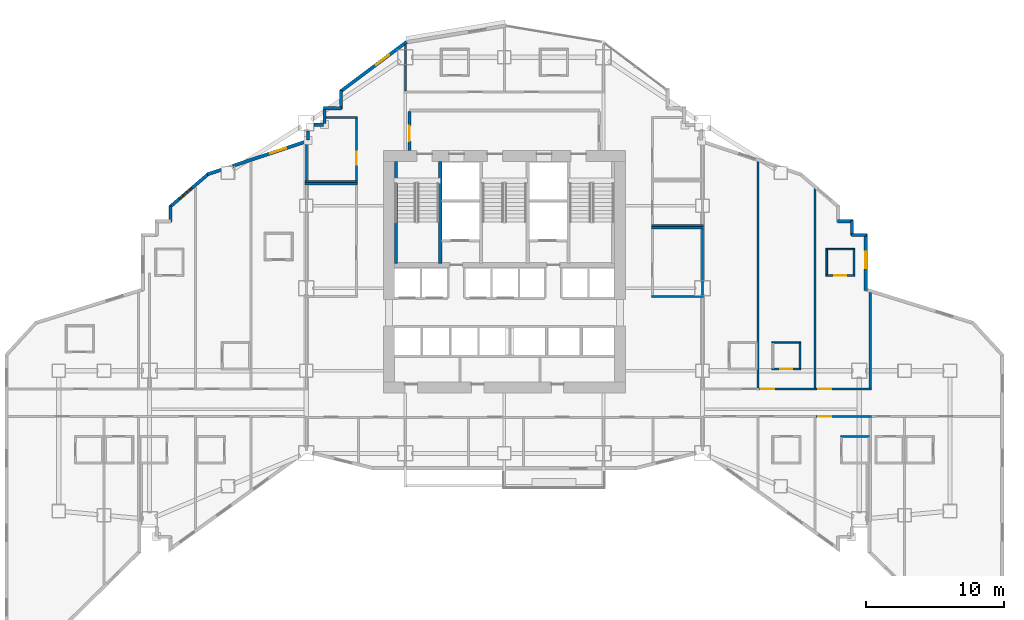
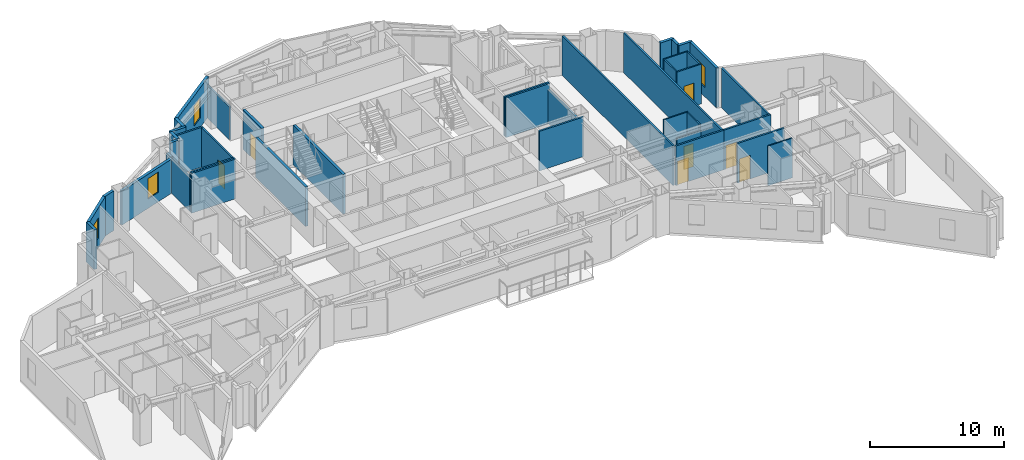
# One storey, part 9 of 16: 41 walls, 7 doors, 4 windows, 11 openings.
"""IFC4 building model written with IfcOpenShell, lengths in metres."""

from ifc_helpers import new_model, si_unit, direction, frame, frame_2d, origin, place, context, subcontext, project, spatial, rectangle, extrude, material, layer, layer_set, type_object, element, fill, save


model = new_model("IFC4")

# Units and contexts
model_context = context("Model", 3, precision=1e-05, world=origin(), true_north=direction((0.0, 1.0)))
body_context = subcontext(model_context, "Body", "Model", "MODEL_VIEW")
ifc_project = project(units=[si_unit("LENGTHUNIT", "METRE"), si_unit("AREAUNIT", "SQUARE_METRE"), si_unit("VOLUMEUNIT", "CUBIC_METRE"), si_unit("PLANEANGLEUNIT", "RADIAN"), si_unit("MASSUNIT", "GRAM", prefix="KILO")], contexts=[model_context])

# Site, building, storey
site_placement = place(None, origin())
site = spatial("IfcSite", under=ifc_project, at=site_placement, CompositionType="ELEMENT")
building_placement = place(site_placement, origin())
building = spatial("IfcBuilding", under=site, at=building_placement, Name="Haolan Belvedere Tower", CompositionType="ELEMENT")
storey_placement = place(building_placement, frame((0.0, 0.0, 47.60009765625)))
storey = spatial("IfcBuildingStorey", under=building, at=storey_placement, Name="L11", CompositionType="ELEMENT", Elevation=47.60009765625)

# Wall, opening, window
ifc_material_1 = material(Name="Precast concrete C40/50", Category="concrete")
ifc_layer_1 = layer(ifc_material_1, 0.239990234375, Name="Precast concrete C40/50")
ifc_layer_set_1 = layer_set([ifc_layer_1], Name="Precast concrete C40/50")
wall_type_1 = type_object("IfcWallType", Name="WL-EXT-240", PredefinedType="SOLIDWALL", material=ifc_layer_set_1)
wall_1_placement = place(storey_placement, frame((64.679931640625, 33.45654296875, 0.0), z_axis=(0.0, 0.0, 1.0), x_axis=(0.0, 1.0, 0.0)))
wall_1 = element("IfcWall", 1, at=wall_1_placement, inside=storey, type_object=wall_type_1, Name="L11 pale-metal exterior spandrel wall 29.1", PredefinedType="SOLIDWALL", context=body_context, shape_type="SweptSolid", body=[
    extrude(rectangle(XDim=4.078369140625, YDim=0.239990234375, at=frame_2d((2.0390625, 0.0))), origin(), (0.0, 0.0, 1.0), 3.599853515625),
])
opening_1_placement = place(wall_1_placement, frame((1.60009765625, 0.0, 0.85009765625)))
opening_1 = element("IfcOpeningElement", 2, at=opening_1_placement, cuts=wall_1, Name="Opening W-01", PredefinedType="OPENING", context=body_context, shape_type="SweptSolid", body=[
    extrude(rectangle(XDim=1.199951171875, YDim=1.85009765625, at=frame_2d((0.60009765625, 0.925048828125))), frame((0.0, 0.1298828125, 0.0), z_axis=(0.0, -1.0, 0.0), x_axis=(1.0, 0.0, 0.0)), (0.0, 0.0, 1.0), 0.260009765625),
])
ifc_material_2 = material(Name="Anodised aluminium 6063-T6 and Low-E glass", Category="aluminium")
window_type = type_object("IfcWindowType", Name="WN-DECO-Z1", PartitioningType="SINGLE_PANEL", PredefinedType="WINDOW", material=ifc_material_2)
window_1_placement = place(opening_1_placement, origin())
window_1 = element("IfcWindow", 3, at=window_1_placement, inside=storey, type_object=window_type, Name="L11 Art Deco chevron window 1", OverallHeight=1.85009765625, OverallWidth=1.199951171875, PartitioningType="SINGLE_PANEL", PredefinedType="WINDOW", context=body_context, shape_type="SweptSolid", body=[
    extrude(rectangle(XDim=1.199951171875, YDim=1.85009765625, at=frame_2d((0.60009765625, 0.925048828125))), frame((0.0, 0.030029296875, 0.0), z_axis=(0.0, -1.0, 0.0), x_axis=(1.0, 0.0, 0.0)), (0.0, 0.0, 1.0), 0.06005859375),
])
fill(opening_1, window_1)

# Walls
wall_2_placement = place(storey_placement, frame((64.735107421875, 37.47998046875, 0.0), z_axis=(0.0, 0.0, 1.0), x_axis=(-1.0, 0.0, 0.0)))
element("IfcWall", 4, at=wall_2_placement, inside=storey, type_object=wall_type_1, Name="L11 pale-metal exterior spandrel wall 30.1", PredefinedType="SOLIDWALL", context=body_context, shape_type="SweptSolid", body=[
    extrude(rectangle(XDim=1.110107421875, YDim=0.239990234375, at=frame_2d((0.55517578125, 0.0))), origin(), (0.0, 0.0, 1.0), 3.599853515625),
])
wall_3_placement = place(storey_placement, frame((63.679931640625, 37.425048828125, 0.0), z_axis=(0.0, 0.0, 1.0), x_axis=(0.0, 1.0, 0.0)))
element("IfcWall", 5, at=wall_3_placement, inside=storey, type_object=wall_type_1, Name="L11 pale-metal exterior spandrel wall 31.1", PredefinedType="SOLIDWALL", context=body_context, shape_type="SweptSolid", body=[
    extrude(rectangle(XDim=1.10986328125, YDim=0.239990234375, at=frame_2d((0.554931640625, 0.0))), origin(), (0.0, 0.0, 1.0), 3.599853515625),
])
wall_4_placement = place(storey_placement, frame((63.735107421875, 38.47998046875, 0.0), z_axis=(0.0, 0.0, 1.0), x_axis=(-1.0, 0.0, 0.0)))
element("IfcWall", 6, at=wall_4_placement, inside=storey, type_object=wall_type_1, Name="L11 pale-metal exterior spandrel wall 32.1", PredefinedType="SOLIDWALL", context=body_context, shape_type="SweptSolid", body=[
    extrude(rectangle(XDim=1.110107421875, YDim=0.239990234375, at=frame_2d((0.55517578125, 0.0))), origin(), (0.0, 0.0, 1.0), 3.599853515625),
])

# Wall, opening, window
wall_5_placement = place(storey_placement, frame((31.29248046875, 51.519287109375, 0.0), z_axis=(0.0, 0.0, 1.0), x_axis=(-0.8, -0.6, 0.0)))
wall_5 = element("IfcWall", 7, at=wall_5_placement, inside=storey, type_object=wall_type_1, Name="L11 pale-metal exterior spandrel wall 44.1", PredefinedType="SOLIDWALL", context=body_context, shape_type="SweptSolid", body=[
    extrude(rectangle(XDim=6.0205078125, YDim=0.239990234375, at=frame_2d((3.01025390625, 0.0))), origin(), (0.0, 0.0, 1.0), 3.599853515625),
])
opening_2_placement = place(wall_5_placement, frame((1.60009765625, 0.0, 0.85009765625)))
opening_2 = element("IfcOpeningElement", 8, at=opening_2_placement, cuts=wall_5, Name="Opening W-01", PredefinedType="OPENING", context=body_context, shape_type="SweptSolid", body=[
    extrude(rectangle(XDim=1.199951171875, YDim=1.85009765625, at=frame_2d((0.60009765625, 0.925048828125))), frame((0.0, 0.1298828125, 0.0), z_axis=(0.0, -1.0, 0.0), x_axis=(1.0, 0.0, 0.0)), (0.0, 0.0, 1.0), 0.260009765625),
])
window_2_placement = place(opening_2_placement, origin())
window_2 = element("IfcWindow", 9, at=window_2_placement, inside=storey, type_object=window_type, Name="L11 Art Deco chevron window 1", OverallHeight=1.85009765625, OverallWidth=1.199951171875, PartitioningType="SINGLE_PANEL", PredefinedType="WINDOW", context=body_context, shape_type="SweptSolid", body=[
    extrude(rectangle(XDim=1.199951171875, YDim=1.85009765625, at=frame_2d((0.60009765625, 0.925048828125))), frame((0.0, 0.030029296875, 0.0), z_axis=(0.0, -1.0, 0.0), x_axis=(1.0, 0.0, 0.0)), (0.0, 0.0, 1.0), 0.06005859375),
])
fill(opening_2, window_2)

# Walls
wall_6_placement = place(storey_placement, frame((26.52001953125, 47.9951171875, 0.0), z_axis=(0.0, 0.0, 1.0), x_axis=(0.0, -1.0, 0.0)))
element("IfcWall", 10, at=wall_6_placement, inside=storey, type_object=wall_type_1, Name="L11 pale-metal exterior spandrel wall 45.1", PredefinedType="SOLIDWALL", context=body_context, shape_type="SweptSolid", body=[
    extrude(rectangle(XDim=1.3701171875, YDim=0.239990234375, at=frame_2d((0.68505859375, 0.0))), origin(), (0.0, 0.0, 1.0), 3.599853515625),
])
wall_7_placement = place(storey_placement, frame((26.574951171875, 46.679931640625, 0.0), z_axis=(0.0, 0.0, 1.0), x_axis=(-1.0, 0.0, 0.0)))
element("IfcWall", 11, at=wall_7_placement, inside=storey, type_object=wall_type_1, Name="L11 pale-metal exterior spandrel wall 46.1", PredefinedType="SOLIDWALL", context=body_context, shape_type="SweptSolid", body=[
    extrude(rectangle(XDim=1.31005859375, YDim=0.239990234375, at=frame_2d((0.655029296875, 0.0))), origin(), (0.0, 0.0, 1.0), 3.599853515625),
])
wall_8_placement = place(storey_placement, frame((25.320068359375, 46.614990234375, 0.0), z_axis=(0.0, 0.0, 1.0), x_axis=(0.0, -1.0, 0.0)))
element("IfcWall", 12, at=wall_8_placement, inside=storey, type_object=wall_type_1, Name="L11 pale-metal exterior spandrel wall 47.1", PredefinedType="SOLIDWALL", context=body_context, shape_type="SweptSolid", body=[
    extrude(rectangle(XDim=1.050048828125, YDim=0.239990234375, at=frame_2d((0.52490234375, 0.0))), origin(), (0.0, 0.0, 1.0), 3.599853515625),
])
wall_9_placement = place(storey_placement, frame((25.235107421875, 45.47998046875, 0.0), z_axis=(0.0, 0.0, 1.0), x_axis=(-1.0, 0.0, 0.0)))
element("IfcWall", 13, at=wall_9_placement, inside=storey, type_object=wall_type_1, Name="L11 pale-metal exterior spandrel wall 48.1", PredefinedType="SOLIDWALL", context=body_context, shape_type="SweptSolid", body=[
    extrude(rectangle(XDim=0.668212890625, YDim=0.239990234375, at=frame_2d((0.333984375, 0.0))), origin(), (0.0, 0.0, 1.0), 3.599853515625),
])
wall_10_placement = place(storey_placement, frame((24.1201171875, 45.032958984375, 0.0), z_axis=(0.0, 0.0, 1.0), x_axis=(0.0, -1.0, 0.0)))
element("IfcWall", 14, at=wall_10_placement, inside=storey, type_object=wall_type_1, Name="L11 pale-metal exterior spandrel wall 49.1", PredefinedType="SOLIDWALL", context=body_context, shape_type="SweptSolid", body=[
    extrude(rectangle(XDim=0.634521484375, YDim=0.239990234375, at=frame_2d((0.3173828125, 0.0))), origin(), (0.0, 0.0, 1.0), 3.096923828125),
])

# Wall, opening, window
wall_11_placement = place(storey_placement, frame((24.039306640625, 44.28662109375, 0.0), z_axis=(0.0, 0.0, 1.0), x_axis=(-0.948678995954, -0.316240672014, 0.0)))
wall_11 = element("IfcWall", 15, at=wall_11_placement, inside=storey, type_object=wall_type_1, Name="L11 pale-metal exterior spandrel wall 50.1", PredefinedType="SOLIDWALL", context=body_context, shape_type="SweptSolid", body=[
    extrude(rectangle(XDim=5.675048828125, YDim=0.239990234375, at=frame_2d((2.83740234375, 0.0))), origin(), (0.0, 0.0, 1.0), 3.096923828125),
])
opening_3_placement = place(wall_11_placement, frame((1.60009765625, 0.0, 0.85009765625)))
opening_3 = element("IfcOpeningElement", 16, at=opening_3_placement, cuts=wall_11, Name="Opening W-01", PredefinedType="OPENING", context=body_context, shape_type="SweptSolid", body=[
    extrude(rectangle(XDim=1.199951171875, YDim=1.85009765625, at=frame_2d((0.60009765625, 0.925048828125))), frame((0.0, 0.1298828125, 0.0), z_axis=(0.0, -1.0, 0.0), x_axis=(1.0, 0.0, 0.0)), (0.0, 0.0, 1.0), 0.260009765625),
])
window_3_placement = place(opening_3_placement, origin())
window_3 = element("IfcWindow", 17, at=window_3_placement, inside=storey, type_object=window_type, Name="L11 Art Deco chevron window 1", OverallHeight=1.85009765625, OverallWidth=1.199951171875, PartitioningType="SINGLE_PANEL", PredefinedType="WINDOW", context=body_context, shape_type="SweptSolid", body=[
    extrude(rectangle(XDim=1.199951171875, YDim=1.85009765625, at=frame_2d((0.60009765625, 0.925048828125))), frame((0.0, 0.030029296875, 0.0), z_axis=(0.0, -1.0, 0.0), x_axis=(1.0, 0.0, 0.0)), (0.0, 0.0, 1.0), 0.06005859375),
])
fill(opening_3, window_3)

# Wall
wall_12_placement = place(storey_placement, frame((17.80810546875, 42.20947265625, 0.0), z_axis=(0.0, 0.0, 1.0), x_axis=(-0.948706457285, -0.316158279832, 0.0)))
element("IfcWall", 18, at=wall_12_placement, inside=storey, type_object=wall_type_1, Name="L11 pale-metal exterior spandrel wall 50.2", PredefinedType="SOLIDWALL", context=body_context, shape_type="SweptSolid", body=[
    extrude(rectangle(XDim=1.053955078125, YDim=0.239990234375, at=frame_2d((0.52685546875, 0.0))), origin(), (0.0, 0.0, 1.0), 3.599853515625),
])

# Wall, opening, window
wall_13_placement = place(storey_placement, frame((16.902099609375, 41.929443359375, 0.0), z_axis=(0.0, 0.0, 1.0), x_axis=(-0.759275136126, -0.650769750112, 0.0)))
wall_13 = element("IfcWall", 19, at=wall_13_placement, inside=storey, type_object=wall_type_1, Name="L11 pale-metal exterior spandrel wall 51.1", PredefinedType="SOLIDWALL", context=body_context, shape_type="SweptSolid", body=[
    extrude(rectangle(XDim=3.71923828125, YDim=0.239990234375, at=frame_2d((1.859619140625, 0.0))), origin(), (0.0, 0.0, 1.0), 3.599853515625),
])
opening_4_placement = place(wall_13_placement, frame((1.60009765625, 0.0, 0.85009765625)))
opening_4 = element("IfcOpeningElement", 20, at=opening_4_placement, cuts=wall_13, Name="Opening W-01", PredefinedType="OPENING", context=body_context, shape_type="SweptSolid", body=[
    extrude(rectangle(XDim=1.199951171875, YDim=1.85009765625, at=frame_2d((0.60009765625, 0.925048828125))), frame((0.0, 0.1298828125, 0.0), z_axis=(0.0, -1.0, 0.0), x_axis=(1.0, 0.0, 0.0)), (0.0, 0.0, 1.0), 0.260009765625),
])
window_4_placement = place(opening_4_placement, origin())
window_4 = element("IfcWindow", 21, at=window_4_placement, inside=storey, type_object=window_type, Name="L11 Art Deco chevron window 1", OverallHeight=1.85009765625, OverallWidth=1.199951171875, PartitioningType="SINGLE_PANEL", PredefinedType="WINDOW", context=body_context, shape_type="SweptSolid", body=[
    extrude(rectangle(XDim=1.199951171875, YDim=1.85009765625, at=frame_2d((0.60009765625, 0.925048828125))), frame((0.0, 0.030029296875, 0.0), z_axis=(0.0, -1.0, 0.0), x_axis=(1.0, 0.0, 0.0)), (0.0, 0.0, 1.0), 0.06005859375),
])
fill(opening_4, window_4)

# Wall
wall_14_placement = place(storey_placement, frame((14.1201171875, 39.599853515625, 0.0), z_axis=(0.0, 0.0, 1.0), x_axis=(0.0, -1.0, 0.0)))
element("IfcWall", 22, at=wall_14_placement, inside=storey, type_object=wall_type_1, Name="L11 pale-metal exterior spandrel wall 52.1", PredefinedType="SOLIDWALL", context=body_context, shape_type="SweptSolid", body=[
    extrude(rectangle(XDim=1.1748046875, YDim=0.239990234375, at=frame_2d((0.58740234375, 0.0))), origin(), (0.0, 0.0, 1.0), 3.599853515625),
])

# Wall, opening, door
ifc_material_3 = material(Name="Concrete C40/50", Category="concrete")
ifc_layer_2 = layer(ifc_material_3, 0.199951171875, Name="Concrete C40/50")
ifc_layer_set_2 = layer_set([ifc_layer_2], Name="Concrete C40/50")
wall_type_2 = type_object("IfcWallType", Name="WL-FIRE-200", PredefinedType="SOLIDWALL", material=ifc_layer_set_2)
wall_15_placement = place(storey_placement, frame((31.5, 43.60009765625, 0.0), z_axis=(0.0, 0.0, 1.0), x_axis=(0.0, 1.0, 0.0)))
wall_15 = element("IfcWall", 23, at=wall_15_placement, inside=storey, type_object=wall_type_2, Name="L11 interior partition IW-L11-FFL-W", PredefinedType="SOLIDWALL", context=body_context, shape_type="SweptSolid", body=[
    extrude(rectangle(XDim=2.8349609375, YDim=0.199951171875, at=frame_2d((1.41748046875, 0.0))), origin(), (0.0, 0.0, 1.0), 3.599853515625),
])
opening_5_placement = place(wall_15_placement, frame((1.800048828125, 0.0, 0.0), z_axis=(0.0, 0.0, 1.0), x_axis=(-1.0, 0.0, 0.0)))
opening_5 = element("IfcOpeningElement", 24, at=opening_5_placement, cuts=wall_15, Name="Opening FD-03", PredefinedType="OPENING", context=body_context, shape_type="SweptSolid", body=[
    extrude(rectangle(XDim=1.10009765625, YDim=2.14990234375, at=frame_2d((0.550048828125, 1.074951171875))), frame((0.0, 0.10986328125, 0.0), z_axis=(0.0, -1.0, 0.0), x_axis=(1.0, 0.0, 0.0)), (0.0, 0.0, 1.0), 0.219970703125),
])
ifc_material_4 = material(Name="Galvanised fire-rated steel", Category="steel")
door_type_1 = type_object("IfcDoorType", Name="DR-FD90-1100", OperationType="NOTDEFINED", PredefinedType="DOOR", material=ifc_material_4)
door_1_placement = place(opening_5_placement, origin())
door_1 = element("IfcDoor", 25, at=door_1_placement, inside=storey, type_object=door_type_1, Name="L11 door ID-L11-FFL-DW", OperationType="SINGLE_SWING_LEFT", OverallHeight=2.14990234375, OverallWidth=1.10009765625, PredefinedType="DOOR", context=body_context, shape_type="SweptSolid", body=[
    extrude(rectangle(XDim=1.10009765625, YDim=2.14990234375, at=frame_2d((0.550048828125, 1.074951171875))), frame((0.0, 0.02490234375, 0.0), z_axis=(0.0, -1.0, 0.0), x_axis=(1.0, 0.0, 0.0)), (0.0, 0.0, 1.0), 0.050048828125),
])
fill(opening_5, door_1)

# Walls
ifc_material_5 = material(Name="Double gypsum acoustic stud partition", Category="masonry")
ifc_layer_3 = layer(ifc_material_5, 0.14990234375, Name="Double gypsum acoustic stud partition")
ifc_layer_set_3 = layer_set([ifc_layer_3], Name="Double gypsum acoustic stud partition")
wall_type_3 = type_object("IfcWallType", Name="WL-PART-150", PredefinedType="PARTITIONING", material=ifc_layer_set_3)
wall_16_placement = place(storey_placement, frame((23.919921875, 41.199951171875, 0.0), z_axis=(0.0, 0.0, 1.0), x_axis=(1.0, 0.0, 0.0)))
element("IfcWall", 26, at=wall_16_placement, inside=storey, type_object=wall_type_3, Name="L11 interior partition IW-L11-SAL-N", PredefinedType="PARTITIONING", context=body_context, shape_type="SweptSolid", body=[
    extrude(rectangle(XDim=3.800048828125, YDim=0.14990234375, at=frame_2d((1.89990234375, 0.0))), origin(), (0.0, 0.0, 1.0), 3.599853515625),
])
wall_17_placement = place(storey_placement, frame((25.425048828125, 46.02001953125, 0.0), z_axis=(0.0, 0.0, 1.0), x_axis=(1.0, 0.0, 0.0)))
element("IfcWall", 27, at=wall_17_placement, inside=storey, type_object=wall_type_3, Name="L11 interior partition IW-L11-HSK-N", PredefinedType="PARTITIONING", context=body_context, shape_type="SweptSolid", body=[
    extrude(rectangle(XDim=2.294921875, YDim=0.14990234375, at=frame_2d((1.1474609375, 0.0))), origin(), (0.0, 0.0, 1.0), 3.599853515625),
])
wall_18_placement = place(storey_placement, frame((23.919921875, 41.360107421875, 0.0), z_axis=(0.0, 0.0, 1.0), x_axis=(1.0, 0.0, 0.0)))
element("IfcWall", 28, at=wall_18_placement, inside=storey, type_object=wall_type_3, Name="L11 interior partition IW-L11-HSK-S", PredefinedType="PARTITIONING", context=body_context, shape_type="SweptSolid", body=[
    extrude(rectangle(XDim=3.800048828125, YDim=0.14990234375, at=frame_2d((1.89990234375, 0.0))), origin(), (0.0, 0.0, 1.0), 3.599853515625),
])
wall_19_placement = place(storey_placement, frame((24.0, 41.419921875, 0.0), z_axis=(0.0, 0.0, 1.0), x_axis=(0.0, 1.0, 0.0)))
element("IfcWall", 29, at=wall_19_placement, inside=storey, type_object=wall_type_3, Name="L11 interior partition IW-L11-HSK-W", PredefinedType="PARTITIONING", context=body_context, shape_type="SweptSolid", body=[
    extrude(rectangle(XDim=2.742919921875, YDim=0.14990234375, at=frame_2d((1.37158203125, 0.0))), origin(), (0.0, 0.0, 1.0), 3.096923828125),
])

# Wall, opening, door
wall_20_placement = place(storey_placement, frame((27.639892578125, 41.419921875, 0.0), z_axis=(0.0, 0.0, 1.0), x_axis=(0.0, 1.0, 0.0)))
wall_20 = element("IfcWall", 30, at=wall_20_placement, inside=storey, type_object=wall_type_3, Name="L11 interior partition IW-L11-HSK-E", PredefinedType="PARTITIONING", context=body_context, shape_type="SweptSolid", body=[
    extrude(rectangle(XDim=4.5400390625, YDim=0.14990234375, at=frame_2d((2.27001953125, 0.0))), origin(), (0.0, 0.0, 1.0), 3.599853515625),
])
opening_6_placement = place(wall_20_placement, frame((2.10986328125, 0.0, 0.0), z_axis=(0.0, 0.0, 1.0), x_axis=(-1.0, 0.0, 0.0)))
opening_6 = element("IfcOpeningElement", 31, at=opening_6_placement, cuts=wall_20, Name="Opening ID-03", PredefinedType="OPENING", context=body_context, shape_type="SweptSolid", body=[
    extrude(rectangle(XDim=0.949951171875, YDim=2.1201171875, at=frame_2d((0.47509765625, 1.06005859375))), frame((0.0, 0.0849609375, 0.0), z_axis=(0.0, -1.0, 0.0), x_axis=(1.0, 0.0, 0.0)), (0.0, 0.0, 1.0), 0.169921875),
])
ifc_material_6 = material(Name="Painted solid-core timber", Category="wood")
door_type_2 = type_object("IfcDoorType", Name="DR-INT-950", OperationType="NOTDEFINED", PredefinedType="DOOR", material=ifc_material_6)
door_2_placement = place(opening_6_placement, origin())
door_2 = element("IfcDoor", 32, at=door_2_placement, inside=storey, type_object=door_type_2, Name="L11 door ID-L11-HSK", OperationType="SINGLE_SWING_RIGHT", OverallHeight=2.1201171875, OverallWidth=0.949951171875, PredefinedType="DOOR", context=body_context, shape_type="SweptSolid", body=[
    extrude(rectangle(XDim=0.949951171875, YDim=2.1201171875, at=frame_2d((0.47509765625, 1.06005859375))), frame((0.0, 0.02490234375, 0.0), z_axis=(0.0, -1.0, 0.0), x_axis=(1.0, 0.0, 0.0)), (0.0, 0.0, 1.0), 0.050048828125),
])
fill(opening_6, door_2)

# Walls
for number, where, z_axis, x_axis, name in (
    (33, (49.080078125, 38.0, 0.0), (0.0, 0.0, 1.0), (1.0, 0.0, 0.0), "L11 interior partition IW-L11-BPN-N"),
    (34, (49.080078125, 33.0, 0.0), (0.0, 0.0, 1.0), (1.0, 0.0, 0.0), "L11 interior partition IW-L11-BPN-S"),
):
    element("IfcWall", number, at=place(storey_placement, frame(where, z_axis=z_axis, x_axis=x_axis)), inside=storey, type_object=wall_type_3, Name=name, PredefinedType="PARTITIONING", context=body_context, shape_type="SweptSolid", body=[
        extrude(rectangle(XDim=3.7998046875, YDim=0.14990234375, at=frame_2d((1.89990234375, 0.0))), origin(), (0.0, 0.0, 1.0), 3.599853515625),
    ])
wall_21_placement = place(storey_placement, frame((52.800048828125, 33.06005859375, 0.0), z_axis=(0.0, 0.0, 1.0), x_axis=(0.0, 1.0, 0.0)))
element("IfcWall", 35, at=wall_21_placement, inside=storey, type_object=wall_type_3, Name="L11 interior partition IW-L11-BPN-E", PredefinedType="PARTITIONING", context=body_context, shape_type="SweptSolid", body=[
    extrude(rectangle(XDim=4.8798828125, YDim=0.14990234375, at=frame_2d((2.43994140625, 0.0))), origin(), (0.0, 0.0, 1.0), 3.096923828125),
])
wall_22_placement = place(storey_placement, frame((49.080078125, 38.159912109375, 0.0), z_axis=(0.0, 0.0, 1.0), x_axis=(1.0, 0.0, 0.0)))
element("IfcWall", 36, at=wall_22_placement, inside=storey, type_object=wall_type_3, Name="L11 interior partition IW-L11-AWC-S", PredefinedType="PARTITIONING", context=body_context, shape_type="SweptSolid", body=[
    extrude(rectangle(XDim=3.7998046875, YDim=0.14990234375, at=frame_2d((1.89990234375, 0.0))), origin(), (0.0, 0.0, 1.0), 3.599853515625),
])
wall_23_placement = place(storey_placement, frame((31.199951171875, 47.93994140625, 0.0), z_axis=(0.0, 0.0, 1.0), x_axis=(0.0, 1.0, 0.0)))
element("IfcWall", 37, at=wall_23_placement, inside=storey, type_object=wall_type_3, Name="L11 interior partition IW-L11-KN2-W", PredefinedType="PARTITIONING", context=body_context, shape_type="SweptSolid", body=[
    extrude(rectangle(XDim=3.378662109375, YDim=0.14990234375, at=frame_2d((1.689453125, 0.0))), origin(), (0.0, 0.0, 1.0), 2.98486328125),
])
wall_24_placement = place(storey_placement, frame((56.830078125, 26.340087890625, 0.0), z_axis=(0.0, 0.0, 1.0), x_axis=(0.0, 1.0, 0.0)))
element("IfcWall", 38, at=wall_24_placement, inside=storey, type_object=wall_type_3, Name="L11 interior partition IW-L11-T4N1-E", PredefinedType="PARTITIONING", context=body_context, shape_type="SweptSolid", body=[
    extrude(rectangle(XDim=16.4794921875, YDim=0.14990234375, at=frame_2d((8.23974609375, 0.0))), origin(), (0.0, 0.0, 1.0), 3.599853515625),
])

# Wall, opening, door
wall_25_placement = place(storey_placement, frame((56.931884765625, 26.280029296875, 0.0), z_axis=(0.0, 0.0, 1.0), x_axis=(1.0, 0.0, 0.0)))
wall_25 = element("IfcWall", 39, at=wall_25_placement, inside=storey, type_object=wall_type_3, Name="L11 interior partition IW-L11-T4N2-S", PredefinedType="PARTITIONING", context=body_context, shape_type="SweptSolid", body=[
    extrude(rectangle(XDim=4.13818359375, YDim=0.14990234375, at=frame_2d((2.069091796875, 0.0))), origin(), (0.0, 0.0, 1.0), 3.599853515625),
])
opening_7_placement = place(wall_25_placement, frame((0.139892578125, 0.0, 0.0)))
opening_7 = element("IfcOpeningElement", 40, at=opening_7_placement, cuts=wall_25, Name="Opening ID-01", PredefinedType="OPENING", context=body_context, shape_type="SweptSolid", body=[
    extrude(rectangle(XDim=0.949951171875, YDim=2.179931640625, at=frame_2d((0.47509765625, 1.08984375))), frame((0.0, 0.0849609375, 0.0), z_axis=(0.0, -1.0, 0.0), x_axis=(1.0, 0.0, 0.0)), (0.0, 0.0, 1.0), 0.169921875),
])
ifc_material_7 = material(Name="Acoustic walnut veneer fire-rated timber", Category="wood")
door_type_3 = type_object("IfcDoorType", Name="DR-SUITE-950", OperationType="NOTDEFINED", PredefinedType="DOOR", material=ifc_material_7)
door_3_placement = place(opening_7_placement, origin())
door_3 = element("IfcDoor", 41, at=door_3_placement, inside=storey, type_object=door_type_3, Name="L11 door ID-L11-T4N2-ENT", OperationType="SINGLE_SWING_LEFT", OverallHeight=2.179931640625, OverallWidth=0.949951171875, PredefinedType="DOOR", context=body_context, shape_type="SweptSolid", body=[
    extrude(rectangle(XDim=0.949951171875, YDim=2.179931640625, at=frame_2d((0.47509765625, 1.08984375))), frame((0.0, 0.02490234375, 0.0), z_axis=(0.0, -1.0, 0.0), x_axis=(1.0, 0.0, 0.0)), (0.0, 0.0, 1.0), 0.050048828125),
])
fill(opening_7, door_3)

# Wall
wall_26_placement = place(storey_placement, frame((60.969970703125, 26.340087890625, 0.0), z_axis=(0.0, 0.0, 1.0), x_axis=(0.0, 1.0, 0.0)))
element("IfcWall", 42, at=wall_26_placement, inside=storey, type_object=wall_type_3, Name="L11 interior partition IW-L11-T4N2-E", PredefinedType="PARTITIONING", context=body_context, shape_type="SweptSolid", body=[
    extrude(rectangle(XDim=14.5322265625, YDim=0.14990234375, at=frame_2d((7.26611328125, 0.0))), origin(), (0.0, 0.0, 1.0), 3.599853515625),
])

# Wall, opening, door
wall_27_placement = place(storey_placement, frame((61.072021484375, 26.280029296875, 0.0), z_axis=(0.0, 0.0, 1.0), x_axis=(1.0, 0.0, 0.0)))
wall_27 = element("IfcWall", 43, at=wall_27_placement, inside=storey, type_object=wall_type_3, Name="L11 interior partition IW-L11-T4N3-S", PredefinedType="PARTITIONING", context=body_context, shape_type="SweptSolid", body=[
    extrude(rectangle(XDim=4.028076171875, YDim=0.14990234375, at=frame_2d((2.01416015625, 0.0))), origin(), (0.0, 0.0, 1.0), 3.599853515625),
])
opening_8_placement = place(wall_27_placement, frame((0.139892578125, 0.0, 0.0)))
opening_8 = element("IfcOpeningElement", 44, at=opening_8_placement, cuts=wall_27, Name="Opening ID-02", PredefinedType="OPENING", context=body_context, shape_type="SweptSolid", body=[
    extrude(rectangle(XDim=0.949951171875, YDim=2.14990234375, at=frame_2d((0.47509765625, 1.074951171875))), frame((0.0, 0.0849609375, 0.0), z_axis=(0.0, -1.0, 0.0), x_axis=(1.0, 0.0, 0.0)), (0.0, 0.0, 1.0), 0.169921875),
])
ifc_material_8 = material(Name="Acoustic oak veneer fire-rated timber", Category="wood")
door_type_4 = type_object("IfcDoorType", Name="DR-GUEST-950", OperationType="NOTDEFINED", PredefinedType="DOOR", material=ifc_material_8)
door_4_placement = place(opening_8_placement, origin())
door_4 = element("IfcDoor", 45, at=door_4_placement, inside=storey, type_object=door_type_4, Name="L11 door ID-L11-T4N3-ENT", OperationType="SINGLE_SWING_RIGHT", OverallHeight=2.14990234375, OverallWidth=0.949951171875, PredefinedType="DOOR", context=body_context, shape_type="SweptSolid", body=[
    extrude(rectangle(XDim=0.949951171875, YDim=2.14990234375, at=frame_2d((0.47509765625, 1.074951171875))), frame((0.0, 0.02490234375, 0.0), z_axis=(0.0, -1.0, 0.0), x_axis=(1.0, 0.0, 0.0)), (0.0, 0.0, 1.0), 0.050048828125),
])
fill(opening_8, door_4)

# Wall
wall_28_placement = place(storey_placement, frame((65.0, 26.340087890625, 0.0), z_axis=(0.0, 0.0, 1.0), x_axis=(0.0, 1.0, 0.0)))
element("IfcWall", 46, at=wall_28_placement, inside=storey, type_object=wall_type_3, Name="L11 interior partition IW-L11-T4N3-E", PredefinedType="PARTITIONING", context=body_context, shape_type="SweptSolid", body=[
    extrude(rectangle(XDim=6.9619140625, YDim=0.14990234375, at=frame_2d((3.48095703125, 0.0))), origin(), (0.0, 0.0, 1.0), 3.599853515625),
])

# Wall, opening, door
wall_29_placement = place(storey_placement, frame((61.072021484375, 24.27001953125, 0.0), z_axis=(0.0, 0.0, 1.0), x_axis=(1.0, 0.0, 0.0)))
wall_29 = element("IfcWall", 47, at=wall_29_placement, inside=storey, type_object=wall_type_3, Name="L11 interior partition IW-L11-T4S3-N", PredefinedType="PARTITIONING", context=body_context, shape_type="SweptSolid", body=[
    extrude(rectangle(XDim=4.028076171875, YDim=0.14990234375, at=frame_2d((2.01416015625, 0.0))), origin(), (0.0, 0.0, 1.0), 3.599853515625),
])
opening_9_placement = place(wall_29_placement, frame((1.08984375, 0.0, 0.0), z_axis=(0.0, 0.0, 1.0), x_axis=(-1.0, 0.0, 0.0)))
opening_9 = element("IfcOpeningElement", 48, at=opening_9_placement, cuts=wall_29, Name="Opening ID-02", PredefinedType="OPENING", context=body_context, shape_type="SweptSolid", body=[
    extrude(rectangle(XDim=0.949951171875, YDim=2.14990234375, at=frame_2d((0.47509765625, 1.074951171875))), frame((0.0, 0.0849609375, 0.0), z_axis=(0.0, -1.0, 0.0), x_axis=(1.0, 0.0, 0.0)), (0.0, 0.0, 1.0), 0.169921875),
])
door_5_placement = place(opening_9_placement, origin())
door_5 = element("IfcDoor", 49, at=door_5_placement, inside=storey, type_object=door_type_4, Name="L11 door ID-L11-T4S3-ENT", OperationType="SINGLE_SWING_LEFT", OverallHeight=2.14990234375, OverallWidth=0.949951171875, PredefinedType="DOOR", context=body_context, shape_type="SweptSolid", body=[
    extrude(rectangle(XDim=0.949951171875, YDim=2.14990234375, at=frame_2d((0.47509765625, 1.074951171875))), frame((0.0, 0.02490234375, 0.0), z_axis=(0.0, -1.0, 0.0), x_axis=(1.0, 0.0, 0.0)), (0.0, 0.0, 1.0), 0.050048828125),
])
fill(opening_9, door_5)

# Walls
ifc_material_9 = material(Name="Concrete C50/60", Category="concrete")
ifc_layer_4 = layer(ifc_material_9, 0.219970703125, Name="Concrete C50/60")
ifc_layer_set_4 = layer_set([ifc_layer_4], Name="Concrete C50/60")
wall_type_4 = type_object("IfcWallType", Name="WL-STAIR-220", PredefinedType="SHEAR", material=ifc_layer_set_4)
for number, where, z_axis, x_axis, name in (
    (50, (30.511962890625, 35.389892578125, 0.0), (0.0, 0.0, 1.0), (0.0, 1.0, 0.0), "L11 structural stair core wall ST1W"),
    (51, (33.739990234375, 35.389892578125, 0.0), (0.0, 0.0, 1.0), (0.0, 1.0, 0.0), "L11 structural stair core wall ST1E"),
):
    element("IfcWall", number, at=place(storey_placement, frame(where, z_axis=z_axis, x_axis=x_axis)), inside=storey, type_object=wall_type_4, Name=name, PredefinedType="SHEAR", context=body_context, shape_type="SweptSolid", body=[
        extrude(rectangle(XDim=7.41015625, YDim=0.219970703125, at=frame_2d((3.705078125, 0.0))), origin(), (0.0, 0.0, 1.0), 3.599853515625),
    ])
ifc_material_10 = material(Name="Moisture-resistant gypsum tile partition", Category="masonry")
ifc_layer_5 = layer(ifc_material_10, 0.1201171875, Name="Moisture-resistant gypsum tile partition")
ifc_layer_set_5 = layer_set([ifc_layer_5], Name="Moisture-resistant gypsum tile partition")
wall_type_5 = type_object("IfcWallType", Name="WL-WET-120", PredefinedType="PARTITIONING", material=ifc_layer_set_5)
wall_30_placement = place(storey_placement, frame((57.85009765625, 29.64990234375, 0.0), z_axis=(0.0, 0.0, 1.0), x_axis=(1.0, 0.0, 0.0)))
element("IfcWall", 52, at=wall_30_placement, inside=storey, type_object=wall_type_5, Name="L11 interior partition IW-L11-T4N2-BN", PredefinedType="PARTITIONING", context=body_context, shape_type="SweptSolid", body=[
    extrude(rectangle(XDim=2.099853515625, YDim=0.1201171875, at=frame_2d((1.0498046875, 0.0))), origin(), (0.0, 0.0, 1.0), 3.599853515625),
])

# Wall, opening, door
wall_31_placement = place(storey_placement, frame((57.85009765625, 27.72998046875, 0.0), z_axis=(0.0, 0.0, 1.0), x_axis=(1.0, 0.0, 0.0)))
wall_31 = element("IfcWall", 53, at=wall_31_placement, inside=storey, type_object=wall_type_5, Name="L11 interior partition IW-L11-T4N2-BS", PredefinedType="PARTITIONING", context=body_context, shape_type="SweptSolid", body=[
    extrude(rectangle(XDim=2.099853515625, YDim=0.1201171875, at=frame_2d((1.0498046875, 0.0))), origin(), (0.0, 0.0, 1.0), 3.096923828125),
])
opening_10_placement = place(wall_31_placement, frame((0.625, 0.0, 0.0)))
opening_10 = element("IfcOpeningElement", 54, at=opening_10_placement, cuts=wall_31, Name="Opening ID-05", PredefinedType="OPENING", context=body_context, shape_type="SweptSolid", body=[
    extrude(rectangle(XDim=0.85009765625, YDim=2.10009765625, at=frame_2d((0.425048828125, 1.050048828125))), frame((0.0, 0.070068359375, 0.0), z_axis=(0.0, -1.0, 0.0), x_axis=(1.0, 0.0, 0.0)), (0.0, 0.0, 1.0), 0.14013671875),
])
ifc_material_11 = material(Name="Moisture-resistant lacquered timber", Category="wood")
door_type_5 = type_object("IfcDoorType", Name="DR-BATH-850", OperationType="NOTDEFINED", PredefinedType="DOOR", material=ifc_material_11)
door_6_placement = place(opening_10_placement, origin())
door_6 = element("IfcDoor", 55, at=door_6_placement, inside=storey, type_object=door_type_5, Name="L11 door ID-L11-T4N2-BATH", OperationType="SINGLE_SWING_RIGHT", OverallHeight=2.10009765625, OverallWidth=0.85009765625, PredefinedType="DOOR", context=body_context, shape_type="SweptSolid", body=[
    extrude(rectangle(XDim=0.85009765625, YDim=2.10009765625, at=frame_2d((0.425048828125, 1.050048828125))), frame((0.0, 0.02490234375, 0.0), z_axis=(0.0, -1.0, 0.0), x_axis=(1.0, 0.0, 0.0)), (0.0, 0.0, 1.0), 0.050048828125),
])
fill(opening_10, door_6)

# Walls
wall_32_placement = place(storey_placement, frame((59.889892578125, 27.77490234375, 0.0), z_axis=(0.0, 0.0, 1.0), x_axis=(0.0, 1.0, 0.0)))
element("IfcWall", 56, at=wall_32_placement, inside=storey, type_object=wall_type_5, Name="L11 interior partition IW-L11-T4N2-BE", PredefinedType="PARTITIONING", context=body_context, shape_type="SweptSolid", body=[
    extrude(rectangle(XDim=1.830078125, YDim=0.1201171875, at=frame_2d((0.9150390625, 0.0))), origin(), (0.0, 0.0, 1.0), 3.599853515625),
])
wall_33_placement = place(storey_placement, frame((61.777099609375, 36.447021484375, 0.0), z_axis=(0.0, 0.0, 1.0), x_axis=(1.0, 0.0, 0.0)))
element("IfcWall", 57, at=wall_33_placement, inside=storey, type_object=wall_type_5, Name="L11 interior partition IW-L11-T4N3-BN", PredefinedType="PARTITIONING", context=body_context, shape_type="SweptSolid", body=[
    extrude(rectangle(XDim=2.099853515625, YDim=0.1201171875, at=frame_2d((1.0498046875, 0.0))), origin(), (0.0, 0.0, 1.0), 3.599853515625),
])

# Wall, opening, door
wall_34_placement = place(storey_placement, frame((61.777099609375, 34.527099609375, 0.0), z_axis=(0.0, 0.0, 1.0), x_axis=(1.0, 0.0, 0.0)))
wall_34 = element("IfcWall", 58, at=wall_34_placement, inside=storey, type_object=wall_type_5, Name="L11 interior partition IW-L11-T4N3-BS", PredefinedType="PARTITIONING", context=body_context, shape_type="SweptSolid", body=[
    extrude(rectangle(XDim=2.099853515625, YDim=0.1201171875, at=frame_2d((1.0498046875, 0.0))), origin(), (0.0, 0.0, 1.0), 3.599853515625),
])
opening_11_placement = place(wall_34_placement, frame((0.625, 0.0, 0.0)))
opening_11 = element("IfcOpeningElement", 59, at=opening_11_placement, cuts=wall_34, Name="Opening ID-05", PredefinedType="OPENING", context=body_context, shape_type="SweptSolid", body=[
    extrude(rectangle(XDim=0.85009765625, YDim=2.10009765625, at=frame_2d((0.425048828125, 1.050048828125))), frame((0.0, 0.070068359375, 0.0), z_axis=(0.0, -1.0, 0.0), x_axis=(1.0, 0.0, 0.0)), (0.0, 0.0, 1.0), 0.14013671875),
])
door_7_placement = place(opening_11_placement, origin())
door_7 = element("IfcDoor", 60, at=door_7_placement, inside=storey, type_object=door_type_5, Name="L11 door ID-L11-T4N3-BATH", OperationType="SINGLE_SWING_LEFT", OverallHeight=2.10009765625, OverallWidth=0.85009765625, PredefinedType="DOOR", context=body_context, shape_type="SweptSolid", body=[
    extrude(rectangle(XDim=0.85009765625, YDim=2.10009765625, at=frame_2d((0.425048828125, 1.050048828125))), frame((0.0, 0.02490234375, 0.0), z_axis=(0.0, -1.0, 0.0), x_axis=(1.0, 0.0, 0.0)), (0.0, 0.0, 1.0), 0.050048828125),
])
fill(opening_11, door_7)

# Walls
for number, where, z_axis, x_axis, name in (
    (61, (61.8369140625, 34.572021484375, 0.0), (0.0, 0.0, 1.0), (0.0, 1.0, 0.0), "L11 interior partition IW-L11-T4N3-BW"),
    (62, (63.81689453125, 34.572021484375, 0.0), (0.0, 0.0, 1.0), (0.0, 1.0, 0.0), "L11 interior partition IW-L11-T4N3-BE"),
):
    element("IfcWall", number, at=place(storey_placement, frame(where, z_axis=z_axis, x_axis=x_axis)), inside=storey, type_object=wall_type_5, Name=name, PredefinedType="PARTITIONING", context=body_context, shape_type="SweptSolid", body=[
        extrude(rectangle(XDim=1.830078125, YDim=0.1201171875, at=frame_2d((0.9150390625, 0.0))), origin(), (0.0, 0.0, 1.0), 3.599853515625),
    ])
wall_35_placement = place(storey_placement, frame((62.860107421875, 22.820068359375, 0.0), z_axis=(0.0, 0.0, 1.0), x_axis=(1.0, 0.0, 0.0)))
element("IfcWall", 63, at=wall_35_placement, inside=storey, type_object=wall_type_5, Name="L11 interior partition IW-L11-T4S3-BN", PredefinedType="PARTITIONING", context=body_context, shape_type="SweptSolid", body=[
    extrude(rectangle(XDim=2.079833984375, YDim=0.1201171875, at=frame_2d((1.0400390625, 0.0))), origin(), (0.0, 0.0, 1.0), 3.599853515625),
])

save(model, "model.ifc")
